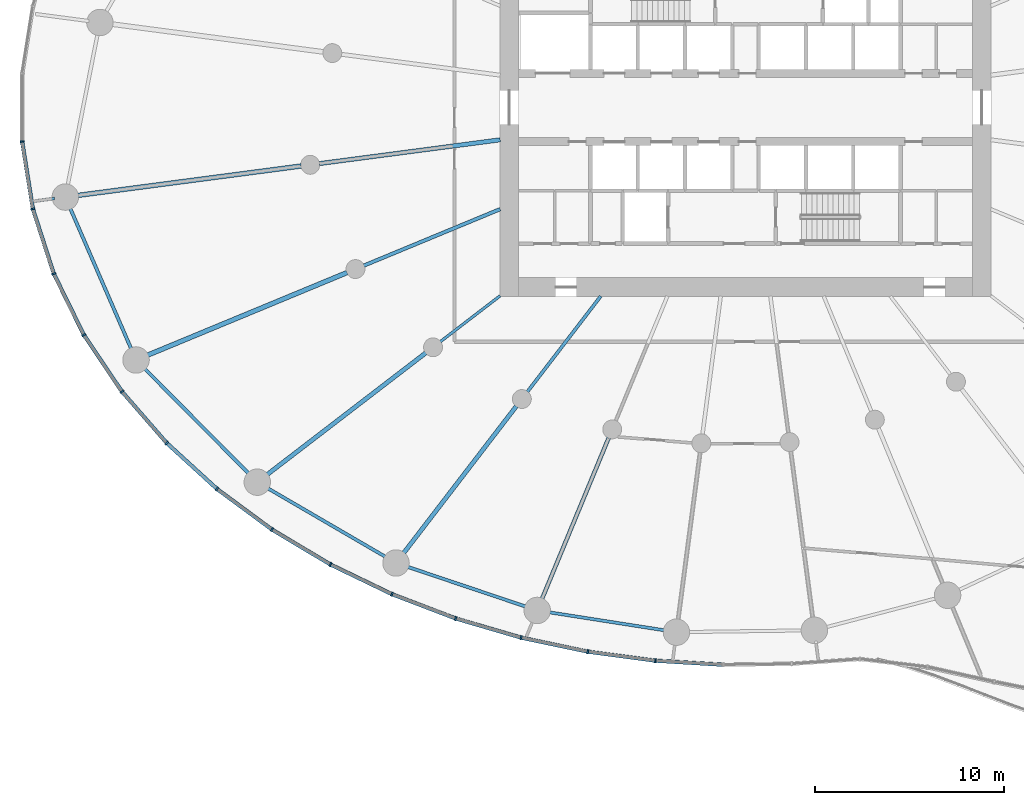
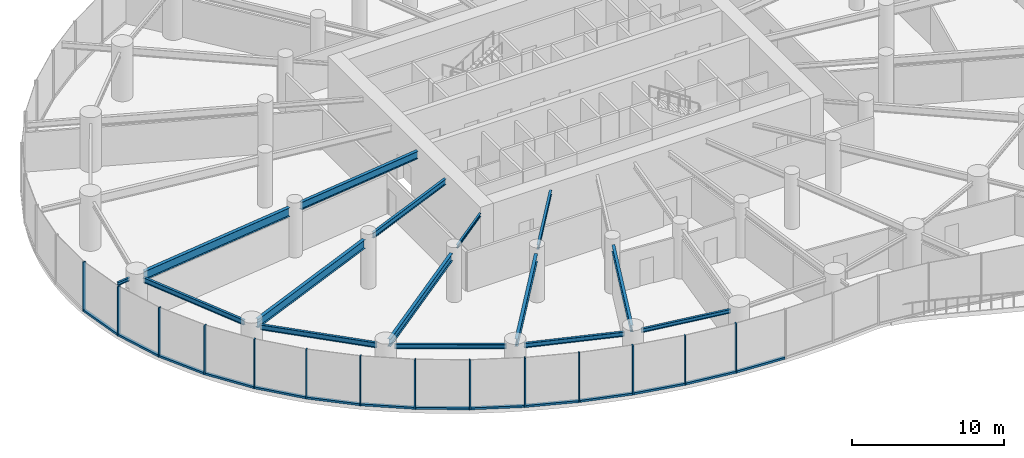
# One storey, part 2 of 21: 28 members, 15 beams, 3 elements without a shape of their own.
"""IFC4 building model written with IfcOpenShell, lengths in metres."""

from ifc_helpers import new_model, si_unit, direction, frame, origin, origin_2d, place, context, subcontext, project, spatial, rectangle, i_section, extrude, source, transform, mapped, material, layer, layer_set, material_profile, profile_set, type_object, element, aggregate, save


model = new_model("IFC4")

# Units and contexts
model_context = context("Model", 3, precision=1e-05, world=origin(), true_north=direction((0.0, 1.0)))
body_context = subcontext(model_context, "Body", "Model", "MODEL_VIEW")
ifc_project = project(units=[si_unit("LENGTHUNIT", "METRE"), si_unit("AREAUNIT", "SQUARE_METRE"), si_unit("VOLUMEUNIT", "CUBIC_METRE"), si_unit("PLANEANGLEUNIT", "RADIAN"), si_unit("MASSUNIT", "GRAM", prefix="KILO")], contexts=[model_context])

# Site, building, storey
site_placement = place(None, origin())
site = spatial("IfcSite", under=ifc_project, at=site_placement, CompositionType="ELEMENT")
building_placement = place(site_placement, origin())
building = spatial("IfcBuilding", under=site, at=building_placement, Name="Spindrift Exchange Tower", CompositionType="ELEMENT")
storey_placement = place(building_placement, frame((0.0, 0.0, 9.39990234375)))
storey = spatial("IfcBuildingStorey", under=building, at=storey_placement, Name="L02", CompositionType="ELEMENT", Elevation=9.39990234375)

# Beams
ifc_material_1 = material(Name="Steel Grade 300", Category="steel")
ifc_material_profile_1 = material_profile(ifc_material_1, i_section(OverallWidth=0.22802734375, OverallDepth=0.60693359375, WebThickness=0.01123046875, FlangeThickness=0.017333984375, FilletRadius=0.013916015625, at=origin_2d()), Name="610UB113")
ifc_profile_set_1 = profile_set([ifc_material_profile_1], Name="Steel Grade 300")
beam_type_1 = type_object("IfcBeamType", Name="Floor Beam 610UB113 Steel Grade 300", PredefinedType="BEAM", material=ifc_profile_set_1)
shared_shape_1 = source(origin(), body_context, "Body", "SweptSolid", [
    extrude(i_section(OverallWidth=0.22802734375, OverallDepth=0.60693359375, WebThickness=0.01123046875, FlangeThickness=0.017333984375, FilletRadius=0.013916015625, at=origin_2d()), origin(), (0.0, 0.0, 1.0), 9.660400390625),
])
beam_1_placement = place(storey_placement, frame((39.019775390625, 46.291015625, 3.646484375), z_axis=(-0.99144767089, -0.130504850054, 0.0), x_axis=(0.130504850054, -0.99144767089, 0.0)))
element("IfcBeam", 1, at=beam_1_placement, inside=storey, type_object=beam_type_1, Name="L02 radial beam R13A", PredefinedType="BEAM", context=body_context, shape_type="MappedRepresentation", body=[
    mapped(shared_shape_1, transform((0.0, 0.0, 0.0), scale=1.0)),
])
ifc_material_profile_2 = material_profile(ifc_material_1, i_section(OverallWidth=0.25, OverallDepth=0.699951171875, WebThickness=0.008056640625, FlangeThickness=0.011962890625, at=origin_2d()), Name="700WB115")
ifc_profile_set_2 = profile_set([ifc_material_profile_2], Name="Steel Grade 300")
beam_type_2 = type_object("IfcBeamType", Name="Floor Beam 700WB115 Steel Grade 300", PredefinedType="BEAM", material=ifc_profile_set_2)
shared_shape_2 = source(origin(), body_context, "Body", "SweptSolid", [
    extrude(i_section(OverallWidth=0.25, OverallDepth=0.699951171875, WebThickness=0.008056640625, FlangeThickness=0.011962890625, at=origin_2d()), origin(), (0.0, 0.0, 1.0), 12.00830078125),
])
beam_2_placement = place(storey_placement, frame((28.490234375, 44.90478515625, 3.60009765625), z_axis=(-0.991444950947, -0.130525511844, 0.0), x_axis=(0.130525511844, -0.991444950947, 0.0)))
element("IfcBeam", 2, at=beam_2_placement, inside=storey, type_object=beam_type_2, Name="L02 radial beam R13B", PredefinedType="BEAM", context=body_context, shape_type="MappedRepresentation", body=[
    mapped(shared_shape_2, transform((0.0, 0.0, 0.0), scale=1.0)),
])
ifc_material_profile_3 = material_profile(ifc_material_1, i_section(OverallWidth=0.18994140625, OverallDepth=0.45703125, WebThickness=0.009033203125, FlangeThickness=0.014404296875, FilletRadius=0.013916015625, at=origin_2d()), Name="460UB74.6")
ifc_profile_set_3 = profile_set([ifc_material_profile_3], Name="Steel Grade 300")
beam_type_3 = type_object("IfcBeamType", Name="Floor Beam 460UB74.6 Steel Grade 300", PredefinedType="BEAM", material=ifc_profile_set_3)
shared_shape_3 = source(origin(), body_context, "Body", "SweptSolid", [
    extrude(i_section(OverallWidth=0.18994140625, OverallDepth=0.45703125, WebThickness=0.009033203125, FlangeThickness=0.014404296875, FilletRadius=0.013916015625, at=origin_2d()), origin(), (0.0, 0.0, 1.0), 7.808837890625),
])
beam_3_placement = place(storey_placement, frame((39.0185546875, 42.622802734375, 3.7216796875), z_axis=(-0.92387965154, -0.382683145003, 0.0), x_axis=(0.382683145003, -0.92387965154, 0.0)))
element("IfcBeam", 3, at=beam_3_placement, inside=storey, type_object=beam_type_3, Name="L02 radial beam R14A", PredefinedType="BEAM", context=body_context, shape_type="MappedRepresentation", body=[
    mapped(shared_shape_3, transform((0.0, 0.0, 0.0), scale=1.0)),
])
shared_shape_4 = source(origin(), body_context, "Body", "SweptSolid", [
    extrude(i_section(OverallWidth=0.25, OverallDepth=0.699951171875, WebThickness=0.008056640625, FlangeThickness=0.011962890625, at=origin_2d()), origin(), (0.0, 0.0, 1.0), 11.505859375),
])
beam_4_placement = place(storey_placement, frame((30.917236328125, 39.26708984375, 3.60009765625), z_axis=(-0.923881578419, -0.38267849307, 0.0), x_axis=(0.38267849307, -0.923881578419, 0.0)))
element("IfcBeam", 4, at=beam_4_placement, inside=storey, type_object=beam_type_2, Name="L02 radial beam R14B", PredefinedType="BEAM", context=body_context, shape_type="MappedRepresentation", body=[
    mapped(shared_shape_4, transform((0.0, 0.0, 0.0), scale=1.0)),
])
ifc_material_profile_4 = material_profile(ifc_material_1, i_section(OverallWidth=0.14599609375, OverallDepth=0.251953125, WebThickness=0.006103515625, FlangeThickness=0.008544921875, FilletRadius=0.011962890625, at=origin_2d()), Name="250UB31.4")
ifc_profile_set_4 = profile_set([ifc_material_profile_4], Name="Steel Grade 300")
beam_type_4 = type_object("IfcBeamType", Name="Floor Beam 250UB31.4 Steel Grade 300", PredefinedType="BEAM", material=ifc_profile_set_4)
shared_shape_5 = source(origin(), body_context, "Body", "SweptSolid", [
    extrude(i_section(OverallWidth=0.14599609375, OverallDepth=0.251953125, WebThickness=0.006103515625, FlangeThickness=0.008544921875, FilletRadius=0.011962890625, at=origin_2d()), origin(), (0.0, 0.0, 1.0), 3.99560546875),
])
beam_5_placement = place(storey_placement, frame((39.015869140625, 38.036865234375, 3.82421875), z_axis=(-0.793352561574, -0.608762443851, 0.0), x_axis=(0.608762443851, -0.793352561574, 0.0)))
element("IfcBeam", 5, at=beam_5_placement, inside=storey, type_object=beam_type_4, Name="L02 radial beam R15A", PredefinedType="BEAM", context=body_context, shape_type="MappedRepresentation", body=[
    mapped(shared_shape_5, transform((0.0, 0.0, 0.0), scale=1.0)),
])
shared_shape_6 = source(origin(), body_context, "Body", "SweptSolid", [
    extrude(i_section(OverallWidth=0.22802734375, OverallDepth=0.60693359375, WebThickness=0.01123046875, FlangeThickness=0.017333984375, FilletRadius=0.013916015625, at=origin_2d()), origin(), (0.0, 0.0, 1.0), 10.66357421875),
])
beam_6_placement = place(storey_placement, frame((35.08447265625, 35.020263671875, 3.646484375), z_axis=(-0.793357926757, -0.608755451764, 0.0), x_axis=(0.608755451764, -0.793357926757, 0.0)))
element("IfcBeam", 6, at=beam_6_placement, inside=storey, type_object=beam_type_1, Name="L02 radial beam R15B", PredefinedType="BEAM", context=body_context, shape_type="MappedRepresentation", body=[
    mapped(shared_shape_6, transform((0.0, 0.0, 0.0), scale=1.0)),
])
ifc_material_profile_5 = material_profile(ifc_material_1, i_section(OverallWidth=0.172119140625, OverallDepth=0.35888671875, WebThickness=0.008056640625, FlangeThickness=0.012939453125, FilletRadius=0.013916015625, at=origin_2d()), Name="360UB56.7")
ifc_profile_set_5 = profile_set([ifc_material_profile_5], Name="Steel Grade 300")
beam_type_5 = type_object("IfcBeamType", Name="Floor Beam 360UB56.7 Steel Grade 300", PredefinedType="BEAM", material=ifc_profile_set_5)
shared_shape_7 = source(origin(), body_context, "Body", "SweptSolid", [
    extrude(i_section(OverallWidth=0.172119140625, OverallDepth=0.35888671875, WebThickness=0.008056640625, FlangeThickness=0.012939453125, FilletRadius=0.013916015625, at=origin_2d()), origin(), (0.0, 0.0, 1.0), 6.37646484375),
])
beam_7_placement = place(storey_placement, frame((44.3388671875, 38.015869140625, 3.7705078125), z_axis=(-0.608766669952, -0.793349318747, 0.0), x_axis=(0.793349318747, -0.608766669952, 0.0)))
element("IfcBeam", 7, at=beam_7_placement, inside=storey, type_object=beam_type_5, Name="L02 radial beam R16A", PredefinedType="BEAM", context=body_context, shape_type="MappedRepresentation", body=[
    mapped(shared_shape_7, transform((0.0, 0.0, 0.0), scale=1.0)),
])
shared_shape_8 = source(origin(), body_context, "Body", "SweptSolid", [
    extrude(i_section(OverallWidth=0.22802734375, OverallDepth=0.60693359375, WebThickness=0.01123046875, FlangeThickness=0.017333984375, FilletRadius=0.013916015625, at=origin_2d()), origin(), (0.0, 0.0, 1.0), 9.87548828125),
])
beam_8_placement = place(storey_placement, frame((39.872802734375, 32.1953125, 3.646484375), z_axis=(-0.608772470836, -0.793344867477, 0.0), x_axis=(0.793344867477, -0.608772470836, 0.0)))
element("IfcBeam", 8, at=beam_8_placement, inside=storey, type_object=beam_type_1, Name="L02 radial beam R16B", PredefinedType="BEAM", context=body_context, shape_type="MappedRepresentation", body=[
    mapped(shared_shape_8, transform((0.0, 0.0, 0.0), scale=1.0)),
])
ifc_material_profile_6 = material_profile(ifc_material_1, i_section(OverallWidth=0.208984375, OverallDepth=0.532958984375, WebThickness=0.01025390625, FlangeThickness=0.015625, FilletRadius=0.013916015625, at=origin_2d()), Name="530UB92.4")
ifc_profile_set_6 = profile_set([ifc_material_profile_6], Name="Steel Grade 300")
beam_type_6 = type_object("IfcBeamType", Name="Floor Beam 530UB92.4 Steel Grade 300", PredefinedType="BEAM", material=ifc_profile_set_6)
shared_shape_9 = source(origin(), body_context, "Body", "SweptSolid", [
    extrude(i_section(OverallWidth=0.208984375, OverallDepth=0.532958984375, WebThickness=0.01025390625, FlangeThickness=0.015625, FilletRadius=0.013916015625, at=origin_2d()), origin(), (0.0, 0.0, 1.0), 9.309326171875),
])
beam_9_placement = place(storey_placement, frame((44.76171875, 30.525146484375, 3.68359375), z_axis=(-0.382685326691, -0.923878747853, 0.0), x_axis=(0.923878747853, -0.382685326691, 0.0)))
element("IfcBeam", 9, at=beam_9_placement, inside=storey, type_object=beam_type_6, Name="L02 radial beam R17B", PredefinedType="BEAM", context=body_context, shape_type="MappedRepresentation", body=[
    mapped(shared_shape_9, transform((0.0, 0.0, 0.0), scale=1.0)),
])
ifc_material_profile_7 = material_profile(ifc_material_1, i_section(OverallWidth=0.14599609375, OverallDepth=0.251953125, WebThickness=0.006103515625, FlangeThickness=0.008544921875, FilletRadius=0.011962890625, at=origin_2d()), Name="250UB31.4")
ifc_profile_set_7 = profile_set([ifc_material_profile_7], Name="Steel Grade 300")
beam_type_7 = type_object("IfcBeamType", Name="Cantilever Beam 250UB31.4 Steel Grade 300", PredefinedType="BEAM", material=ifc_profile_set_7)
shared_shape_10 = source(origin(), body_context, "Body", "SweptSolid", [
    extrude(i_section(OverallWidth=0.14599609375, OverallDepth=0.251953125, WebThickness=0.006103515625, FlangeThickness=0.008544921875, FilletRadius=0.011962890625, at=origin_2d()), origin(), (0.0, 0.0, 1.0), 1.013427734375),
])
beam_10_placement = place(storey_placement, frame((15.4345703125, 43.18603515625, 3.82421875), z_axis=(-0.991437065727, -0.130585392375, 0.0), x_axis=(0.130585392375, -0.991437065727, 0.0)))
element("IfcBeam", 10, at=beam_10_placement, inside=storey, type_object=beam_type_7, Name="L02 cantilever beam R13T", PredefinedType="BEAM", context=body_context, shape_type="MappedRepresentation", body=[
    mapped(shared_shape_10, transform((0.0, 0.0, 0.0), scale=1.0)),
])
ifc_material_profile_8 = material_profile(ifc_material_1, i_section(OverallWidth=0.177978515625, OverallDepth=0.406005859375, WebThickness=0.0078125, FlangeThickness=0.0126953125, FilletRadius=0.013916015625, at=origin_2d()), Name="410UB59.7")
ifc_profile_set_8 = profile_set([ifc_material_profile_8], Name="Steel Grade 300")
beam_type_8 = type_object("IfcBeamType", Name="Edge Beam 410UB59.7 Steel Grade 300", PredefinedType="SPANDREL", material=ifc_profile_set_8)
shared_shape_11 = source(origin(), body_context, "Body", "SweptSolid", [
    extrude(i_section(OverallWidth=0.177978515625, OverallDepth=0.406005859375, WebThickness=0.0078125, FlangeThickness=0.0126953125, FilletRadius=0.013916015625, at=origin_2d()), origin(), (0.0, 0.0, 1.0), 8.23681640625),
])
beam_11_placement = place(storey_placement, frame((16.240478515625, 42.729736328125, 3.7470703125), z_axis=(0.398186298756, -0.91730456855, 0.0), x_axis=(0.91730456855, 0.398186298756, 0.0)))
element("IfcBeam", 11, at=beam_11_placement, inside=storey, type_object=beam_type_8, Name="L02 edge beam E13", PredefinedType="SPANDREL", context=body_context, shape_type="MappedRepresentation", body=[
    mapped(shared_shape_11, transform((0.0, 0.0, 0.0), scale=1.0)),
])
shared_shape_12 = source(origin(), body_context, "Body", "SweptSolid", [
    extrude(i_section(OverallWidth=0.177978515625, OverallDepth=0.406005859375, WebThickness=0.0078125, FlangeThickness=0.0126953125, FilletRadius=0.013916015625, at=origin_2d()), origin(), (0.0, 0.0, 1.0), 7.947509765625),
])
beam_12_placement = place(storey_placement, frame((20.159423828125, 34.230224609375, 3.7470703125), z_axis=(0.704197895271, -0.710003749494, 0.0), x_axis=(0.710003749494, 0.704197895271, 0.0)))
element("IfcBeam", 12, at=beam_12_placement, inside=storey, type_object=beam_type_8, Name="L02 edge beam E14", PredefinedType="SPANDREL", context=body_context, shape_type="MappedRepresentation", body=[
    mapped(shared_shape_12, transform((0.0, 0.0, 0.0), scale=1.0)),
])
ifc_material_profile_9 = material_profile(ifc_material_1, i_section(OverallWidth=0.172119140625, OverallDepth=0.35888671875, WebThickness=0.008056640625, FlangeThickness=0.012939453125, FilletRadius=0.013916015625, at=origin_2d()), Name="360UB56.7")
ifc_profile_set_9 = profile_set([ifc_material_profile_9], Name="Steel Grade 300")
beam_type_9 = type_object("IfcBeamType", Name="Edge Beam 360UB56.7 Steel Grade 300", PredefinedType="SPANDREL", material=ifc_profile_set_9)
shared_shape_13 = source(origin(), body_context, "Body", "SweptSolid", [
    extrude(i_section(OverallWidth=0.172119140625, OverallDepth=0.35888671875, WebThickness=0.008056640625, FlangeThickness=0.012939453125, FilletRadius=0.013916015625, at=origin_2d()), origin(), (0.0, 0.0, 1.0), 7.33740234375),
])
beam_13_placement = place(storey_placement, frame((26.66552734375, 27.8837890625, 3.7705078125), z_axis=(0.864211826308, -0.503128134047, 0.0), x_axis=(0.503128134047, 0.864211826308, 0.0)))
element("IfcBeam", 13, at=beam_13_placement, inside=storey, type_object=beam_type_9, Name="L02 edge beam E15", PredefinedType="SPANDREL", context=body_context, shape_type="MappedRepresentation", body=[
    mapped(shared_shape_13, transform((0.0, 0.0, 0.0), scale=1.0)),
])
shared_shape_14 = source(origin(), body_context, "Body", "SweptSolid", [
    extrude(i_section(OverallWidth=0.172119140625, OverallDepth=0.35888671875, WebThickness=0.008056640625, FlangeThickness=0.012939453125, FilletRadius=0.013916015625, at=origin_2d()), origin(), (0.0, 0.0, 1.0), 6.72021484375),
])
beam_14_placement = place(storey_placement, frame((34.0576171875, 23.71533203125, 3.7705078125), z_axis=(0.947851749681, -0.318711563372, 0.0), x_axis=(0.318711563372, 0.947851749681, 0.0)))
element("IfcBeam", 14, at=beam_14_placement, inside=storey, type_object=beam_type_9, Name="L02 edge beam E16", PredefinedType="SPANDREL", context=body_context, shape_type="MappedRepresentation", body=[
    mapped(shared_shape_14, transform((0.0, 0.0, 0.0), scale=1.0)),
])
ifc_material_profile_10 = material_profile(ifc_material_1, i_section(OverallWidth=0.1650390625, OverallDepth=0.303955078125, WebThickness=0.006103515625, FlangeThickness=0.01025390625, FilletRadius=0.011474609375, at=origin_2d()), Name="310UB40.4")
ifc_profile_set_10 = profile_set([ifc_material_profile_10], Name="Steel Grade 300")
beam_type_10 = type_object("IfcBeamType", Name="Edge Beam 310UB40.4 Steel Grade 300", PredefinedType="SPANDREL", material=ifc_profile_set_10)
shared_shape_15 = source(origin(), body_context, "Body", "SweptSolid", [
    extrude(i_section(OverallWidth=0.1650390625, OverallDepth=0.303955078125, WebThickness=0.006103515625, FlangeThickness=0.01025390625, FilletRadius=0.011474609375, at=origin_2d()), origin(), (0.0, 0.0, 1.0), 6.297119140625),
])
beam_15_placement = place(storey_placement, frame((41.55029296875, 21.29931640625, 3.798095703125), z_axis=(0.98802902915, -0.154268070436, 0.0), x_axis=(0.154268070436, 0.98802902915, 0.0)))
element("IfcBeam", 15, at=beam_15_placement, inside=storey, type_object=beam_type_10, Name="L02 edge beam E17", PredefinedType="SPANDREL", context=body_context, shape_type="MappedRepresentation", body=[
    mapped(shared_shape_15, transform((0.0, 0.0, 0.0), scale=1.0)),
])

# Curtain wall, members
ifc_material_2 = material(Name="Fritted laminated glass with bronze frame", Category="glass")
ifc_layer = layer(ifc_material_2, 0.219970703125)
ifc_layer_set = layer_set([ifc_layer], Name="PODIUM BRONZE GLAZED WALL")
curtain_wall_type = type_object("IfcCurtainWallType", Name="PODIUM BRONZE GLAZED WALL", PredefinedType="NOTDEFINED", material=ifc_layer_set)
curtain_wall_1_placement = place(storey_placement, origin())
curtain_wall_1 = element("IfcCurtainWall", 16, at=curtain_wall_1_placement, inside=storey, type_object=curtain_wall_type, Name="L02 Podium Bronze Glazed Wall run 6", PredefinedType="NOTDEFINED")
ifc_material_3 = material(Name="Bronze anodised aluminium", Category="aluminium")
ifc_material_profile_11 = material_profile(ifc_material_3, rectangle(XDim=0.090087890625, YDim=0.219970703125, at=origin_2d()), Name="PODIUM BRONZE GLAZED WALL MULLION 90X220")
ifc_profile_set_11 = profile_set([ifc_material_profile_11], Name="Bronze anodised aluminium")
member_type_1 = type_object("IfcMemberType", Name="PODIUM BRONZE GLAZED WALL MULLION 90X220", PredefinedType="MULLION", material=ifc_profile_set_11)
shared_shape_16 = source(origin(), body_context, "Body", "SweptSolid", [
    extrude(rectangle(XDim=0.090087890625, YDim=0.219970703125, at=origin_2d()), origin(), (0.0, 0.0, 1.0), 3.9501953125),
])
member_1_placement = place(storey_placement, frame((13.723876953125, 46.19677734375, 0.0), z_axis=(0.0, 0.0, 1.0), x_axis=(0.078805062835, -0.996890045126, 0.0)))
member_1 = element("IfcMember", 17, at=member_1_placement, type_object=member_type_1, Name="L02 mullion CW-P.35", PredefinedType="MULLION", context=body_context, shape_type="MappedRepresentation", body=[
    mapped(shared_shape_16, transform((0.0, 0.0, 0.0), scale=1.0)),
])
member_2_placement = place(storey_placement, frame((14.29052734375, 42.634765625, 0.0), z_axis=(0.0, 0.0, 1.0), x_axis=(0.232738121389, -0.972539442312, 0.0)))
member_2 = element("IfcMember", 18, at=member_2_placement, type_object=member_type_1, Name="L02 mullion CW-P.36", PredefinedType="MULLION", context=body_context, shape_type="MappedRepresentation", body=[
    mapped(shared_shape_16, transform((0.0, 0.0, 0.0), scale=1.0)),
])

curtain_wall_2_placement = place(storey_placement, origin())
curtain_wall_2 = element("IfcCurtainWall", 19, at=curtain_wall_2_placement, inside=storey, type_object=curtain_wall_type, Name="L02 Podium Bronze Glazed Wall run 7", PredefinedType="NOTDEFINED")
member_3_placement = place(storey_placement, frame((15.397705078125, 39.20166015625, 0.0), z_axis=(0.0, 0.0, 1.0), x_axis=(0.37483196341, -0.927092767314, 0.0)))
member_3 = element("IfcMember", 20, at=member_3_placement, type_object=member_type_1, Name="L02 mullion CW-P.37", PredefinedType="MULLION", context=body_context, shape_type="MappedRepresentation", body=[
    mapped(shared_shape_16, transform((0.0, 0.0, 0.0), scale=1.0)),
])
member_4_placement = place(storey_placement, frame((16.98779296875, 35.96337890625, 0.0), z_axis=(0.0, 0.0, 1.0), x_axis=(0.500752280814, -0.865590638385, 0.0)))
member_4 = element("IfcMember", 21, at=member_4_placement, type_object=member_type_1, Name="L02 mullion CW-P.38", PredefinedType="MULLION", context=body_context, shape_type="MappedRepresentation", body=[
    mapped(shared_shape_16, transform((0.0, 0.0, 0.0), scale=1.0)),
])
member_5_placement = place(storey_placement, frame((19.002685546875, 32.970458984375, 0.0), z_axis=(0.0, 0.0, 1.0), x_axis=(0.608598692087, -0.793478186209, 0.0)))
member_5 = element("IfcMember", 22, at=member_5_placement, type_object=member_type_1, Name="L02 mullion CW-P.39", PredefinedType="MULLION", context=body_context, shape_type="MappedRepresentation", body=[
    mapped(shared_shape_16, transform((0.0, 0.0, 0.0), scale=1.0)),
])
member_6_placement = place(storey_placement, frame((21.371337890625, 30.248291015625, 0.0), z_axis=(0.0, 0.0, 1.0), x_axis=(0.698469225847, -0.715640091488, 0.0)))
member_6 = element("IfcMember", 23, at=member_6_placement, type_object=member_type_1, Name="L02 mullion CW-P.40", PredefinedType="MULLION", context=body_context, shape_type="MappedRepresentation", body=[
    mapped(shared_shape_16, transform((0.0, 0.0, 0.0), scale=1.0)),
])
member_7_placement = place(storey_placement, frame((24.035400390625, 27.81396484375, 0.0), z_axis=(0.0, 0.0, 1.0), x_axis=(0.772500408078, -0.635014267178, 0.0)))
member_7 = element("IfcMember", 24, at=member_7_placement, type_object=member_type_1, Name="L02 mullion CW-P.41", PredefinedType="MULLION", context=body_context, shape_type="MappedRepresentation", body=[
    mapped(shared_shape_16, transform((0.0, 0.0, 0.0), scale=1.0)),
])
member_8_placement = place(storey_placement, frame((26.939453125, 25.671142578125, 0.0), z_axis=(0.0, 0.0, 1.0), x_axis=(0.832366842877, -0.554225079619, 0.0)))
member_8 = element("IfcMember", 25, at=member_8_placement, type_object=member_type_1, Name="L02 mullion CW-P.42", PredefinedType="MULLION", context=body_context, shape_type="MappedRepresentation", body=[
    mapped(shared_shape_16, transform((0.0, 0.0, 0.0), scale=1.0)),
])

curtain_wall_3_placement = place(storey_placement, origin())
curtain_wall_3 = element("IfcCurtainWall", 26, at=curtain_wall_3_placement, inside=storey, type_object=curtain_wall_type, Name="L02 Podium Bronze Glazed Wall run 8", PredefinedType="NOTDEFINED")
member_9_placement = place(storey_placement, frame((30.036865234375, 23.818115234375, 0.0), z_axis=(0.0, 0.0, 1.0), x_axis=(0.880312562931, -0.474394131019, 0.0)))
member_9 = element("IfcMember", 27, at=member_9_placement, type_object=member_type_1, Name="L02 mullion CW-P.43", PredefinedType="MULLION", context=body_context, shape_type="MappedRepresentation", body=[
    mapped(shared_shape_16, transform((0.0, 0.0, 0.0), scale=1.0)),
])
member_10_placement = place(storey_placement, frame((33.287841796875, 22.25, 0.0), z_axis=(0.0, 0.0, 1.0), x_axis=(0.918354224162, -0.395759420563, 0.0)))
member_10 = element("IfcMember", 28, at=member_10_placement, type_object=member_type_1, Name="L02 mullion CW-P.44", PredefinedType="MULLION", context=body_context, shape_type="MappedRepresentation", body=[
    mapped(shared_shape_16, transform((0.0, 0.0, 0.0), scale=1.0)),
])
member_11_placement = place(storey_placement, frame((36.660400390625, 20.963623046875, 0.0), z_axis=(0.0, 0.0, 1.0), x_axis=(0.94780593551, -0.318847782824, 0.0)))
member_11 = element("IfcMember", 29, at=member_11_placement, type_object=member_type_1, Name="L02 mullion CW-P.45", PredefinedType="MULLION", context=body_context, shape_type="MappedRepresentation", body=[
    mapped(shared_shape_16, transform((0.0, 0.0, 0.0), scale=1.0)),
])
member_12_placement = place(storey_placement, frame((40.125, 19.949951171875, 0.0), z_axis=(0.0, 0.0, 1.0), x_axis=(0.969898222574, -0.243510652433, 0.0)))
member_12 = element("IfcMember", 30, at=member_12_placement, type_object=member_type_1, Name="L02 mullion CW-P.46", PredefinedType="MULLION", context=body_context, shape_type="MappedRepresentation", body=[
    mapped(shared_shape_16, transform((0.0, 0.0, 0.0), scale=1.0)),
])
member_13_placement = place(storey_placement, frame((43.6572265625, 19.206787109375, 0.0), z_axis=(0.0, 0.0, 1.0), x_axis=(0.985576915993, -0.169228078824, 0.0)))
member_13 = element("IfcMember", 31, at=member_13_placement, type_object=member_type_1, Name="L02 mullion CW-P.47", PredefinedType="MULLION", context=body_context, shape_type="MappedRepresentation", body=[
    mapped(shared_shape_16, transform((0.0, 0.0, 0.0), scale=1.0)),
])
member_14_placement = place(storey_placement, frame((47.2353515625, 18.72900390625, 0.0), z_axis=(0.0, 0.0, 1.0), x_axis=(0.995377686886, -0.096037807399, 0.0)))
member_14 = element("IfcMember", 32, at=member_14_placement, type_object=member_type_1, Name="L02 mullion CW-P.48", PredefinedType="MULLION", context=body_context, shape_type="MappedRepresentation", body=[
    mapped(shared_shape_16, transform((0.0, 0.0, 0.0), scale=1.0)),
])

# Member
ifc_material_profile_12 = material_profile(ifc_material_3, rectangle(XDim=0.199951171875, YDim=0.159912109375, at=origin_2d()), Name="PODIUM BRONZE GLAZED WALL TRANSOM 200X160")
ifc_profile_set_12 = profile_set([ifc_material_profile_12], Name="Bronze anodised aluminium")
member_type_2 = type_object("IfcMemberType", Name="PODIUM BRONZE GLAZED WALL TRANSOM 200X160", PredefinedType="USERDEFINED", material=ifc_profile_set_12)
shared_shape_17 = source(origin(), body_context, "Body", "SweptSolid", [
    extrude(rectangle(XDim=0.199951171875, YDim=0.159912109375, at=origin_2d()), origin(), (0.0, 0.0, 1.0), 3.5185546875),
])
member_15_placement = place(storey_placement, frame((19.0322265625, 32.9365234375, 0.080078125), z_axis=(0.656419190019, -0.754396346077, 0.0), x_axis=(0.754396346077, 0.656419190019, 0.0)))
member_15 = element("IfcMember", 33, at=member_15_placement, type_object=member_type_2, Name="L02 transom CW-P.39", ObjectType="TRANSOM", PredefinedType="USERDEFINED", context=body_context, shape_type="MappedRepresentation", body=[
    mapped(shared_shape_17, transform((0.0, 0.0, 0.0), scale=1.0)),
])

shared_shape_18 = source(origin(), body_context, "Body", "SweptSolid", [
    extrude(rectangle(XDim=0.199951171875, YDim=0.159912109375, at=origin_2d()), origin(), (0.0, 0.0, 1.0), 3.518798828125),
])
member_16_placement = place(storey_placement, frame((21.404541015625, 30.2177734375, 0.080078125), z_axis=(0.738236093476, -0.674542415486, 0.0), x_axis=(0.674542415486, 0.738236093476, 0.0)))
member_16 = element("IfcMember", 34, at=member_16_placement, type_object=member_type_2, Name="L02 transom CW-P.40", ObjectType="TRANSOM", PredefinedType="USERDEFINED", context=body_context, shape_type="MappedRepresentation", body=[
    mapped(shared_shape_18, transform((0.0, 0.0, 0.0), scale=1.0)),
])

shared_shape_19 = source(origin(), body_context, "Body", "SweptSolid", [
    extrude(rectangle(XDim=0.199951171875, YDim=0.159912109375, at=origin_2d()), origin(), (0.0, 0.0, 1.0), 3.51904296875),
])
member_17_placement = place(storey_placement, frame((24.07177734375, 27.787109375, 0.080078125), z_axis=(0.804654576986, -0.59374322037, 0.0), x_axis=(0.59374322037, 0.804654576986, 0.0)))
member_17 = element("IfcMember", 35, at=member_17_placement, type_object=member_type_2, Name="L02 transom CW-P.41", ObjectType="TRANSOM", PredefinedType="USERDEFINED", context=body_context, shape_type="MappedRepresentation", body=[
    mapped(shared_shape_19, transform((0.0, 0.0, 0.0), scale=1.0)),
])

shared_shape_20 = source(origin(), body_context, "Body", "SweptSolid", [
    extrude(rectangle(XDim=0.199951171875, YDim=0.159912109375, at=origin_2d()), origin(), (0.0, 0.0, 1.0), 3.519775390625),
])
member_18_placement = place(storey_placement, frame((36.70361328125, 20.950927734375, 0.080078125), z_axis=(0.959772062062, -0.280780321401, 0.0), x_axis=(0.280780321401, 0.959772062062, 0.0)))
member_18 = element("IfcMember", 36, at=member_18_placement, type_object=member_type_2, Name="L02 transom CW-P.45", ObjectType="TRANSOM", PredefinedType="USERDEFINED", context=body_context, shape_type="MappedRepresentation", body=[
    mapped(shared_shape_20, transform((0.0, 0.0, 0.0), scale=1.0)),
])

member_19_placement = place(storey_placement, frame((40.1689453125, 19.940673828125, 0.080078125), z_axis=(0.978579213055, -0.205870648167, 0.0), x_axis=(0.205870648167, 0.978579213055, 0.0)))
member_19 = element("IfcMember", 37, at=member_19_placement, type_object=member_type_2, Name="L02 transom CW-P.46", ObjectType="TRANSOM", PredefinedType="USERDEFINED", context=body_context, shape_type="MappedRepresentation", body=[
    mapped(shared_shape_20, transform((0.0, 0.0, 0.0), scale=1.0)),
])

shared_shape_21 = source(origin(), body_context, "Body", "SweptSolid", [
    extrude(rectangle(XDim=0.199951171875, YDim=0.159912109375, at=origin_2d()), origin(), (0.0, 0.0, 1.0), 3.517822265625),
])
member_20_placement = place(storey_placement, frame((17.012939453125, 35.926025390625, 0.080078125), z_axis=(0.558458112145, -0.829532722067, 0.0), x_axis=(0.829532722067, 0.558458112145, 0.0)))
member_20 = element("IfcMember", 38, at=member_20_placement, type_object=member_type_2, Name="L02 transom CW-P.38", ObjectType="TRANSOM", PredefinedType="USERDEFINED", context=body_context, shape_type="MappedRepresentation", body=[
    mapped(shared_shape_21, transform((0.0, 0.0, 0.0), scale=1.0)),
])

shared_shape_22 = source(origin(), body_context, "Body", "SweptSolid", [
    extrude(rectangle(XDim=0.199951171875, YDim=0.159912109375, at=origin_2d()), origin(), (0.0, 0.0, 1.0), 3.52001953125),
])
member_21_placement = place(storey_placement, frame((43.701904296875, 19.200927734375, 0.080078125), z_axis=(0.991204867048, -0.132336357591, 0.0), x_axis=(0.132336357591, 0.991204867048, 0.0)))
member_21 = element("IfcMember", 39, at=member_21_placement, type_object=member_type_2, Name="L02 transom CW-P.47", ObjectType="TRANSOM", PredefinedType="USERDEFINED", context=body_context, shape_type="MappedRepresentation", body=[
    mapped(shared_shape_22, transform((0.0, 0.0, 0.0), scale=1.0)),
])

member_22_placement = place(storey_placement, frame((47.2802734375, 18.726318359375, 0.080078125), z_axis=(0.99822353944, -0.059579906919, 0.0), x_axis=(0.059579906919, 0.99822353944, 0.0)))
member_22 = element("IfcMember", 40, at=member_22_placement, type_object=member_type_2, Name="L02 transom CW-P.48", ObjectType="TRANSOM", PredefinedType="USERDEFINED", context=body_context, shape_type="MappedRepresentation", body=[
    mapped(shared_shape_22, transform((0.0, 0.0, 0.0), scale=1.0)),
])

shared_shape_23 = source(origin(), body_context, "Body", "SweptSolid", [
    extrude(rectangle(XDim=0.199951171875, YDim=0.159912109375, at=origin_2d()), origin(), (0.0, 0.0, 1.0), 3.51953125),
])
member_23_placement = place(storey_placement, frame((26.97802734375, 25.64794921875, 0.080078125), z_axis=(0.858153255513, -0.513393601492, 0.0), x_axis=(0.513393601492, 0.858153255513, 0.0)))
member_23 = element("IfcMember", 41, at=member_23_placement, type_object=member_type_2, Name="L02 transom CW-P.42", ObjectType="TRANSOM", PredefinedType="USERDEFINED", context=body_context, shape_type="MappedRepresentation", body=[
    mapped(shared_shape_23, transform((0.0, 0.0, 0.0), scale=1.0)),
])

member_24_placement = place(storey_placement, frame((33.329833984375, 22.23388671875, 0.080078125), z_axis=(0.934359106635, -0.356332793674, 0.0), x_axis=(0.356332793674, 0.934359106635, 0.0)))
member_24 = element("IfcMember", 42, at=member_24_placement, type_object=member_type_2, Name="L02 transom CW-P.44", ObjectType="TRANSOM", PredefinedType="USERDEFINED", context=body_context, shape_type="MappedRepresentation", body=[
    mapped(shared_shape_23, transform((0.0, 0.0, 0.0), scale=1.0)),
])

shared_shape_24 = source(origin(), body_context, "Body", "SweptSolid", [
    extrude(rectangle(XDim=0.199951171875, YDim=0.159912109375, at=origin_2d()), origin(), (0.0, 0.0, 1.0), 3.519287109375),
])
member_25_placement = place(storey_placement, frame((30.077392578125, 23.79833984375, 0.080078125), z_axis=(0.900718275589, -0.434403715476, 0.0), x_axis=(0.434403715476, 0.900718275589, 0.0)))
member_25 = element("IfcMember", 43, at=member_25_placement, type_object=member_type_2, Name="L02 transom CW-P.43", ObjectType="TRANSOM", PredefinedType="USERDEFINED", context=body_context, shape_type="MappedRepresentation", body=[
    mapped(shared_shape_24, transform((0.0, 0.0, 0.0), scale=1.0)),
])

aggregate(curtain_wall_3, [member_9, member_25, member_10, member_24, member_11, member_18, member_12, member_19, member_13, member_21, member_14, member_22])

shared_shape_25 = source(origin(), body_context, "Body", "SweptSolid", [
    extrude(rectangle(XDim=0.199951171875, YDim=0.159912109375, at=origin_2d()), origin(), (0.0, 0.0, 1.0), 3.517578125),
])
member_26_placement = place(storey_placement, frame((15.417724609375, 39.161376953125, 0.080078125), z_axis=(0.440733185678, -0.897638155964, 0.0), x_axis=(0.897638155964, 0.440733185678, 0.0)))
member_26 = element("IfcMember", 44, at=member_26_placement, type_object=member_type_2, Name="L02 transom CW-P.37", ObjectType="TRANSOM", PredefinedType="USERDEFINED", context=body_context, shape_type="MappedRepresentation", body=[
    mapped(shared_shape_25, transform((0.0, 0.0, 0.0), scale=1.0)),
])

aggregate(curtain_wall_2, [member_3, member_26, member_4, member_20, member_5, member_15, member_6, member_16, member_7, member_17, member_8, member_23])

shared_shape_26 = source(origin(), body_context, "Body", "SweptSolid", [
    extrude(rectangle(XDim=0.199951171875, YDim=0.159912109375, at=origin_2d()), origin(), (0.0, 0.0, 1.0), 3.51708984375),
])
member_27_placement = place(storey_placement, frame((14.30419921875, 42.591796875, 0.080078125), z_axis=(0.307029146295, -0.951700112076, 0.0), x_axis=(0.951700112076, 0.307029146295, 0.0)))
member_27 = element("IfcMember", 45, at=member_27_placement, type_object=member_type_2, Name="L02 transom CW-P.36", ObjectType="TRANSOM", PredefinedType="USERDEFINED", context=body_context, shape_type="MappedRepresentation", body=[
    mapped(shared_shape_26, transform((0.0, 0.0, 0.0), scale=1.0)),
])

shared_shape_27 = source(origin(), body_context, "Body", "SweptSolid", [
    extrude(rectangle(XDim=0.199951171875, YDim=0.159912109375, at=origin_2d()), origin(), (0.0, 0.0, 1.0), 3.516845703125),
])
member_28_placement = place(storey_placement, frame((13.73095703125, 46.15234375, 0.080078125), z_axis=(0.157099660692, -0.98758275431, 0.0), x_axis=(0.98758275431, 0.157099660692, 0.0)))
member_28 = element("IfcMember", 46, at=member_28_placement, type_object=member_type_2, Name="L02 transom CW-P.35", ObjectType="TRANSOM", PredefinedType="USERDEFINED", context=body_context, shape_type="MappedRepresentation", body=[
    mapped(shared_shape_27, transform((0.0, 0.0, 0.0), scale=1.0)),
])

aggregate(curtain_wall_1, [member_1, member_28, member_2, member_27])

save(model, "model.ifc")
